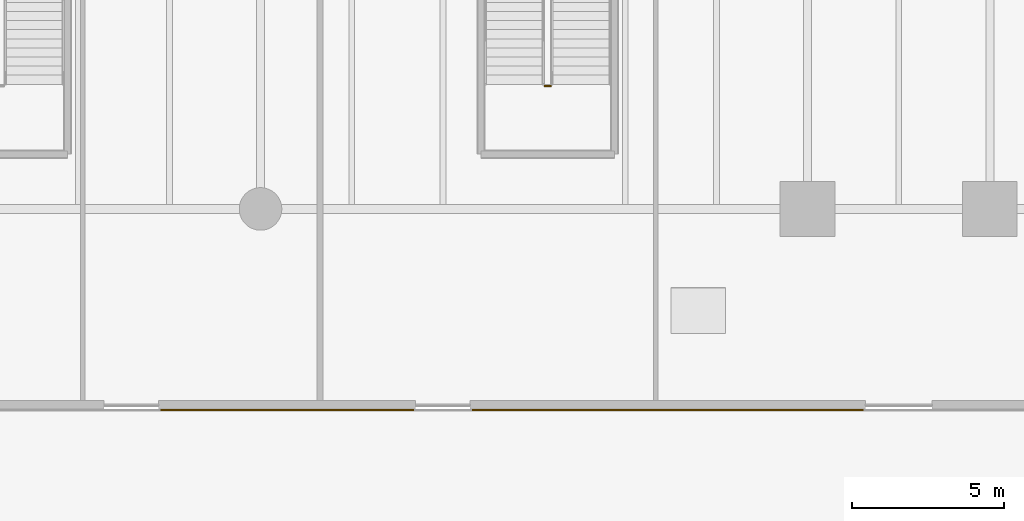
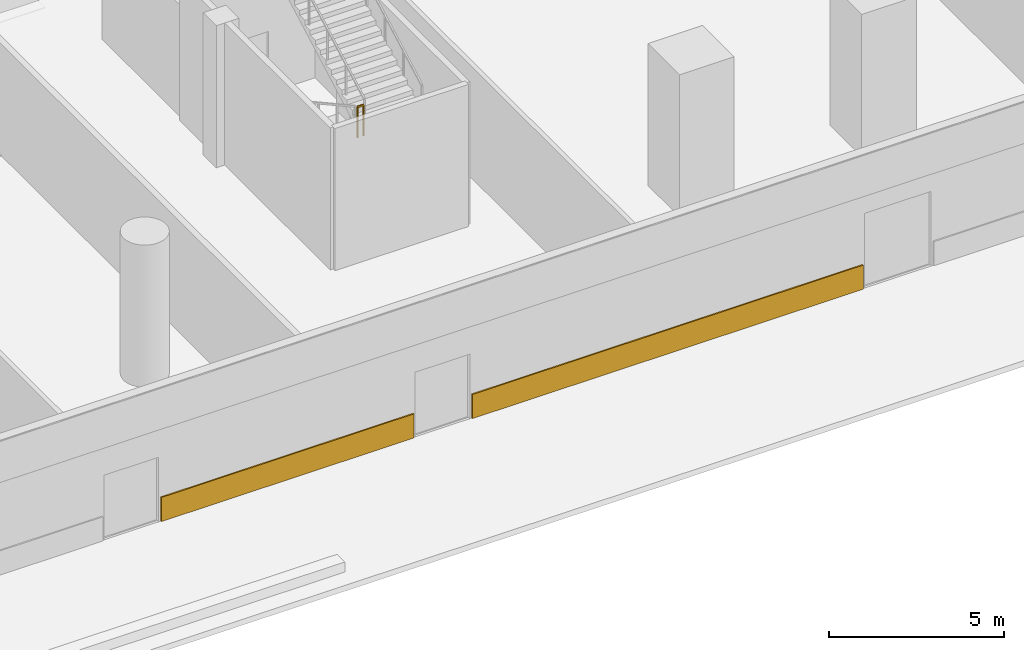
# One storey, part 16 of 25: 2 coverings, 1 railing.
"""IFC4 building model written with IfcOpenShell, lengths in metres."""

import ifcopenshell
import ifcopenshell.guid

model = None  # the IFC model being written
_history = None  # IfcOwnerHistory: only IFC2X3 demands one
_inside = {}  # id of a spatial element -> (the spatial element, [elements in it])
_under = {}  # id of a project, library or spatial element -> (it, [spatial elements below it])
_declared = {}  # id of a project -> (the project, [libraries it declares])
_typed = {}  # id of a type object -> (the type object, [elements of that type])
_made_of = {}  # id of a material, layer set ... -> (it, [elements and type objects made of it])


def new_model(schema):
    """Start an empty IFC model of exactly this schema.

    Asked for "IFC4X3", IfcOpenShell would pick the latest addendum, in which some entities
    have other attributes; the version numbers below select the first issue.
    IFC2X3 requires an IfcOwnerHistory on every rooted entity: one is made here for all.
    """
    global model, _history
    if schema == "IFC4X3":
        model = ifcopenshell.file(schema_version=(4, 3, 0, 0))
    else:
        model = ifcopenshell.file(schema=schema)
    _inside.clear()
    _under.clear()
    _declared.clear()
    _typed.clear()
    _made_of.clear()
    _history = None
    if model.schema == "IFC2X3":
        org = make("IfcOrganization", Name="unknown")
        user = make(
            "IfcPersonAndOrganization",
            ThePerson=make("IfcPerson", FamilyName="unknown"),
            TheOrganization=org,
        )
        app = make(
            "IfcApplication",
            ApplicationDeveloper=org,
            Version="unknown",
            ApplicationFullName="unknown",
            ApplicationIdentifier="unknown",
        )
        _history = make(
            "IfcOwnerHistory",
            OwningUser=user,
            OwningApplication=app,
            ChangeAction="ADDED",
            CreationDate=0,
        )
    return model


def make(cls, **values):
    """One entity of the class cls with the attributes given. An attribute that is None is left unset."""
    return model.create_entity(
        cls, **{name: value for name, value in values.items() if value is not None}
    )


def rooted(cls, **values):
    """An entity with a GlobalId (a new one), such as an element, a storey or a relation."""
    return make(cls, GlobalId=ifcopenshell.guid.new(), OwnerHistory=_history, **values)


def si_unit(unit_type, name, prefix=None):
    """IfcSIUnit, for example si_unit("LENGTHUNIT", "METRE", prefix="MILLI")."""
    return make("IfcSIUnit", UnitType=unit_type, Prefix=prefix, Name=name)


def assignment(units):
    """IfcUnitAssignment: the units of a project."""
    return None if units is None else make("IfcUnitAssignment", Units=units)


def point(xyz):
    """IfcCartesianPoint."""
    return None if xyz is None else make("IfcCartesianPoint", Coordinates=xyz)


def direction(xyz):
    """IfcDirection."""
    return None if xyz is None else make("IfcDirection", DirectionRatios=xyz)


def frame(location, z_axis=None, x_axis=None):
    """IfcAxis2Placement3D, a coordinate frame: its origin and axes. An axis left out is left unset."""
    return make(
        "IfcAxis2Placement3D",
        Location=point(location),
        Axis=direction(z_axis),
        RefDirection=direction(x_axis),
    )


def frame_2d(location, x_axis=None):
    """IfcAxis2Placement2D, a coordinate frame in the plane: its origin and x axis."""
    return make(
        "IfcAxis2Placement2D", Location=point(location), RefDirection=direction(x_axis)
    )


def origin():
    """The frame at (0, 0, 0) with its axes left unset."""
    return frame((0.0, 0.0, 0.0))


def origin_2d():
    """The frame at (0, 0) in the plane with its x axis left unset."""
    return frame_2d((0.0, 0.0))


def place(relative_to, where):
    """IfcLocalPlacement: puts the frame where relative to a parent placement (None: the world)."""
    return make(
        "IfcLocalPlacement", PlacementRelTo=relative_to, RelativePlacement=where
    )


def context(
    kind, dimensions, precision=None, world=None, true_north=None, identifier=None
):
    """IfcGeometricRepresentationContext, for example the 3D "Model" context."""
    return make(
        "IfcGeometricRepresentationContext",
        ContextIdentifier=identifier,
        ContextType=kind,
        CoordinateSpaceDimension=dimensions,
        Precision=precision,
        WorldCoordinateSystem=world,
        TrueNorth=true_north,
    )


def subcontext(parent, identifier, kind, view, scale=None):
    """IfcGeometricRepresentationSubContext, for example "Body" below "Model"."""
    return make(
        "IfcGeometricRepresentationSubContext",
        ContextIdentifier=identifier,
        ContextType=kind,
        ParentContext=parent,
        TargetScale=scale,
        TargetView=view,
    )


def project(units=None, contexts=None):
    """IfcProject with its units and contexts."""
    return rooted(
        "IfcProject",
        Name="project",
        RepresentationContexts=contexts,
        UnitsInContext=assignment(units),
    )


def spatial(cls, under=None, at=None, **own):
    """A site, building, storey or space (cls), placed at a placement, below another one or the project."""
    s = rooted(cls, ObjectPlacement=at, **own)
    if under is not None:
        _under.setdefault(under.id(), (under, []))[1].append(s)
    return s


def profile(cls, at=None, kind="AREA", **sizes):
    """A parametric profile (cls). Its sizes go by their IFC names, for example OverallWidth=200.0."""
    return make(cls, ProfileType=kind, Position=at, **sizes)


def rectangle(**sizes):
    """IfcRectangleProfileDef."""
    return profile("IfcRectangleProfileDef", **sizes)


def extrude(swept, where, along, depth):
    """IfcExtrudedAreaSolid: the profile swept, set in the frame where, extruded along a direction by depth."""
    return make(
        "IfcExtrudedAreaSolid",
        SweptArea=swept,
        Position=where,
        ExtrudedDirection=direction(along),
        Depth=depth,
    )


def shape(context_of_items, identifier, shape_type, items):
    """IfcShapeRepresentation: the items that make up one representation, for example the "Body"."""
    return make(
        "IfcShapeRepresentation",
        ContextOfItems=context_of_items,
        RepresentationIdentifier=identifier,
        RepresentationType=shape_type,
        Items=items,
    )


def material(Name=None, Category=None):
    """IfcMaterial."""
    return make("IfcMaterial", Name=Name, Category=Category)


def layer(
    of_material, thickness, ventilated=None, Name=None, Category=None, Priority=None
):
    """IfcMaterialLayer: one layer of a wall or slab, of a material (None: an air gap)."""
    return make(
        "IfcMaterialLayer",
        Material=of_material,
        LayerThickness=thickness,
        IsVentilated=ventilated,
        Name=Name,
        Category=Category,
        Priority=Priority,
    )


def layer_set(layers, Name=None):
    """IfcMaterialLayerSet."""
    return make("IfcMaterialLayerSet", MaterialLayers=layers, LayerSetName=Name)


def made_of(thing, what):
    """Note that an element or type object is made of a material, layer set ...; save() writes the relation."""
    if what is not None:
        _made_of.setdefault(what.id(), (what, []))[1].append(thing)
    return thing


def type_object(cls, material=None, **own):
    """A type object (cls), such as IfcWallType, which elements share."""
    return made_of(rooted(cls, **own), material)


def element(
    cls,
    number,
    at=None,
    inside=None,
    cuts=None,
    type_object=None,
    material=None,
    context=None,
    identifier="Body",
    shape_type=None,
    held_by="IfcProductDefinitionShape",
    body=None,
    shapes=None,
    **own,
):
    """One element of the class cls, such as IfcWall. Its Tag is "e" and its number.

    at: its placement. inside: the storey or other place that contains it. cuts: it is an
    opening in that element (IfcRelVoidsElement). A single representation is given by context,
    identifier, shape_type and body (its items); several are given by shapes. held_by: the class
    of the entity that holds the representations. save() writes the other relations.
    """
    e = rooted(cls, Tag="e%d" % number, ObjectPlacement=at, **own)
    if body is not None:
        shapes = [shape(context, identifier, shape_type, body)]
    if shapes is not None:
        e.Representation = make(held_by, Representations=shapes)
    if inside is not None:
        _inside.setdefault(inside.id(), (inside, []))[1].append(e)
    if cuts is not None:
        rooted(
            "IfcRelVoidsElement", RelatingBuildingElement=cuts, RelatedOpeningElement=e
        )
    if type_object is not None:
        _typed.setdefault(type_object.id(), (type_object, []))[1].append(e)
    return made_of(e, material)


def aggregate(whole, parts):
    """IfcRelAggregates: a whole, such as a stair, and the parts it consists of."""
    return rooted("IfcRelAggregates", RelatingObject=whole, RelatedObjects=parts)


def save(model, path):
    """Write the relations noted so far, then the file.

    IfcRelAggregates (storeys below a building ...), IfcRelContainedInSpatialStructure (elements
    in a storey), IfcRelDefinesByType, IfcRelAssociatesMaterial and IfcRelDeclares: one each for
    every whole, place, type object, material and project.
    """
    for whole, parts in _under.values():
        aggregate(whole, parts)
    for where, things in _inside.values():
        rooted(
            "IfcRelContainedInSpatialStructure",
            RelatedElements=things,
            RelatingStructure=where,
        )
    for kind, things in _typed.values():
        rooted("IfcRelDefinesByType", RelatedObjects=things, RelatingType=kind)
    for what, things in _made_of.values():
        rooted("IfcRelAssociatesMaterial", RelatedObjects=things, RelatingMaterial=what)
    for by, libraries in _declared.values():
        rooted("IfcRelDeclares", RelatingContext=by, RelatedDefinitions=libraries)
    model.write(path)


model = new_model("IFC4")

# Units and contexts
model_context = context("Model", 3, precision=1e-05, world=origin(), true_north=direction((0.0, 1.0)))
body_context = subcontext(model_context, "Body", "Model", "MODEL_VIEW")
ifc_project = project(units=[si_unit("LENGTHUNIT", "METRE"), si_unit("AREAUNIT", "SQUARE_METRE"), si_unit("VOLUMEUNIT", "CUBIC_METRE"), si_unit("PLANEANGLEUNIT", "RADIAN"), si_unit("MASSUNIT", "GRAM", prefix="KILO")], contexts=[model_context])

# Site, building, storey
site_placement = place(None, origin())
site = spatial("IfcSite", under=ifc_project, at=site_placement, CompositionType="ELEMENT")
building_placement = place(site_placement, origin())
building = spatial("IfcBuilding", under=site, at=building_placement, Name="Tanjung Sevakor Pilgrim Tower", CompositionType="ELEMENT")
storey_placement = place(building_placement, origin())
storey = spatial("IfcBuildingStorey", under=building, at=storey_placement, Name="L01", CompositionType="ELEMENT", Elevation=0.0)

# Coverings
ifc_material_1 = material(Name="Reconstructed Limestone Cladding", Category="masonry")
ifc_layer = layer(ifc_material_1, 0.044921875)
ifc_layer_set = layer_set([ifc_layer], Name="COV-CLAD-LIMESTONE")
covering_type = type_object("IfcCoveringType", Name="COV-CLAD-LIMESTONE", PredefinedType="CLADDING", material=ifc_layer_set)
covering_1_placement = place(storey_placement, frame((36.875, -0.0224609375, 0.009765625), z_axis=(0.0, 0.0, 1.0), x_axis=(1.0, 0.0, 0.0)))
element("IfcCovering", 1, at=covering_1_placement, inside=storey, type_object=covering_type, Name="L01 Warm Limestone Sill Spandrel EW-L01-MAIN-1-4", PredefinedType="CLADDING", context=body_context, shape_type="SweptSolid", body=[
    extrude(rectangle(XDim=8.330078125, YDim=0.044921875, at=origin_2d()), origin(), (0.0, 0.0, 1.0), 0.840087890625),
])
covering_2_placement = place(storey_placement, frame((49.39990234375, -0.0224609375, 0.009765625), z_axis=(0.0, 0.0, 1.0), x_axis=(1.0, 0.0, 0.0)))
element("IfcCovering", 2, at=covering_2_placement, inside=storey, type_object=covering_type, Name="L01 Warm Limestone Sill Spandrel EW-L01-MAIN-1-5", PredefinedType="CLADDING", context=body_context, shape_type="SweptSolid", body=[
    extrude(rectangle(XDim=12.8798828125, YDim=0.044921875, at=origin_2d()), origin(), (0.0, 0.0, 1.0), 0.840087890625),
])

# Railing
ifc_material_2 = material(Name="Steel S355J2", Category="steel")
railing_type = type_object("IfcRailingType", Name="RL-STAIR-GUARD", PredefinedType="GUARDRAIL", material=ifc_material_2)
railing_placement = place(storey_placement, frame((45.35009765625, 10.64990234375, 2.47509765625)))
element("IfcRailing", 3, at=railing_placement, inside=storey, type_object=railing_type, Name="L01 PS-3 stair guard 2", PredefinedType="GUARDRAIL", context=body_context, shape_type="SweptSolid", body=[
    extrude(rectangle(XDim=0.0479, YDim=0.0479), frame((0.0, 0.0, 1.076171875), z_axis=(1.0, 0.0, 0.0), x_axis=(0.0, 1.0, 0.0)), (0.0, 0.0, 1.0), 0.199951171875),
    extrude(rectangle(XDim=0.042, YDim=0.042), origin(), (0.0, 0.0, 1.0), 1.052001953125),
    extrude(rectangle(XDim=0.042, YDim=0.042), frame((0.199951171875, 0.0, 0.0)), (0.0, 0.0, 1.0), 1.052001953125),
])

save(model, "model.ifc")
